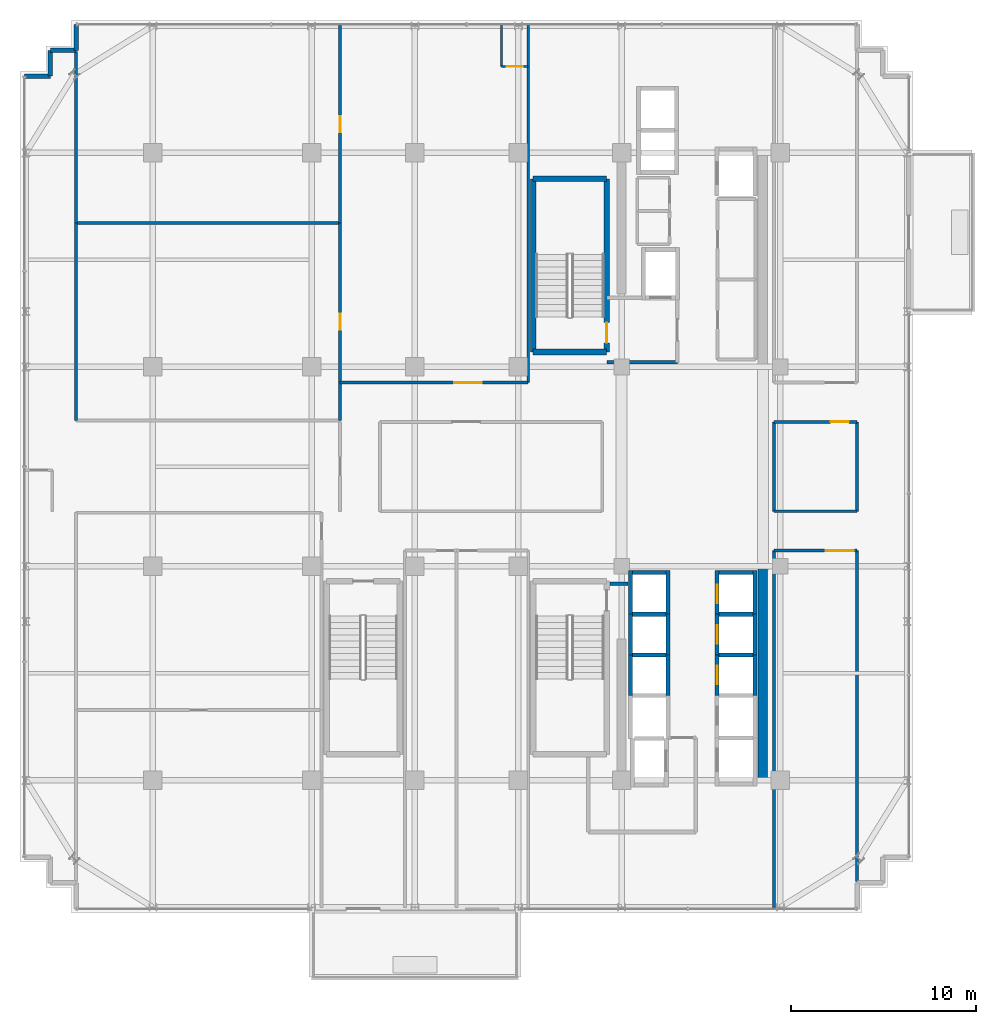
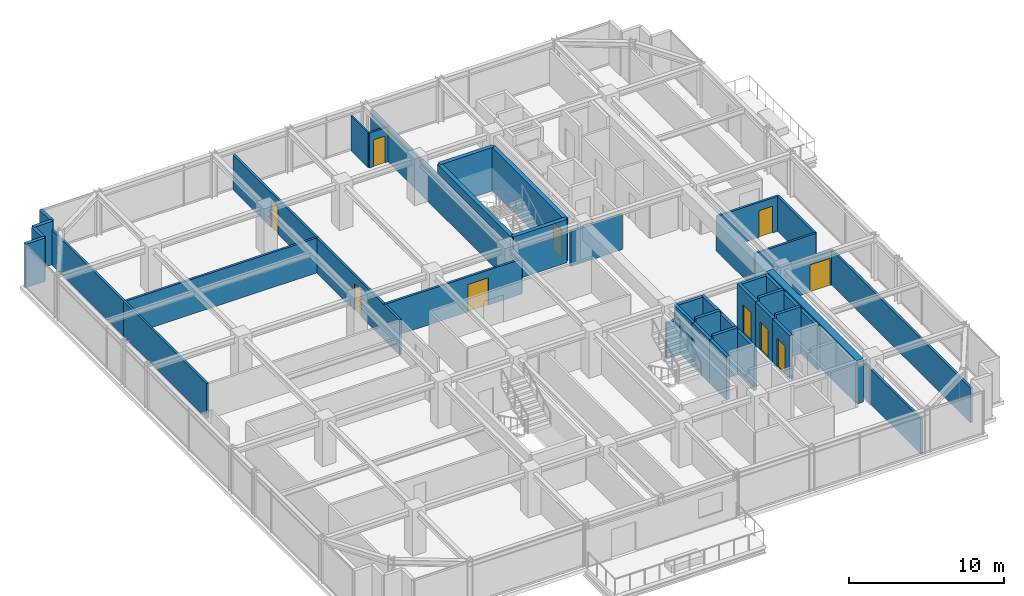
# One storey, part 31 of 36: 45 walls, 10 doors, 10 openings.
"""IFC4 building model written with IfcOpenShell, lengths in metres."""

import ifcopenshell
import ifcopenshell.guid

model = None  # the IFC model being written
_history = None  # IfcOwnerHistory: only IFC2X3 demands one
_inside = {}  # id of a spatial element -> (the spatial element, [elements in it])
_under = {}  # id of a project, library or spatial element -> (it, [spatial elements below it])
_declared = {}  # id of a project -> (the project, [libraries it declares])
_typed = {}  # id of a type object -> (the type object, [elements of that type])
_made_of = {}  # id of a material, layer set ... -> (it, [elements and type objects made of it])


def new_model(schema):
    """Start an empty IFC model of exactly this schema.

    Asked for "IFC4X3", IfcOpenShell would pick the latest addendum, in which some entities
    have other attributes; the version numbers below select the first issue.
    IFC2X3 requires an IfcOwnerHistory on every rooted entity: one is made here for all.
    """
    global model, _history
    if schema == "IFC4X3":
        model = ifcopenshell.file(schema_version=(4, 3, 0, 0))
    else:
        model = ifcopenshell.file(schema=schema)
    _inside.clear()
    _under.clear()
    _declared.clear()
    _typed.clear()
    _made_of.clear()
    _history = None
    if model.schema == "IFC2X3":
        org = make("IfcOrganization", Name="unknown")
        user = make(
            "IfcPersonAndOrganization",
            ThePerson=make("IfcPerson", FamilyName="unknown"),
            TheOrganization=org,
        )
        app = make(
            "IfcApplication",
            ApplicationDeveloper=org,
            Version="unknown",
            ApplicationFullName="unknown",
            ApplicationIdentifier="unknown",
        )
        _history = make(
            "IfcOwnerHistory",
            OwningUser=user,
            OwningApplication=app,
            ChangeAction="ADDED",
            CreationDate=0,
        )
    return model


def make(cls, **values):
    """One entity of the class cls with the attributes given. An attribute that is None is left unset."""
    return model.create_entity(
        cls, **{name: value for name, value in values.items() if value is not None}
    )


def rooted(cls, **values):
    """An entity with a GlobalId (a new one), such as an element, a storey or a relation."""
    return make(cls, GlobalId=ifcopenshell.guid.new(), OwnerHistory=_history, **values)


def si_unit(unit_type, name, prefix=None):
    """IfcSIUnit, for example si_unit("LENGTHUNIT", "METRE", prefix="MILLI")."""
    return make("IfcSIUnit", UnitType=unit_type, Prefix=prefix, Name=name)


def assignment(units):
    """IfcUnitAssignment: the units of a project."""
    return None if units is None else make("IfcUnitAssignment", Units=units)


def point(xyz):
    """IfcCartesianPoint."""
    return None if xyz is None else make("IfcCartesianPoint", Coordinates=xyz)


def direction(xyz):
    """IfcDirection."""
    return None if xyz is None else make("IfcDirection", DirectionRatios=xyz)


def frame(location, z_axis=None, x_axis=None):
    """IfcAxis2Placement3D, a coordinate frame: its origin and axes. An axis left out is left unset."""
    return make(
        "IfcAxis2Placement3D",
        Location=point(location),
        Axis=direction(z_axis),
        RefDirection=direction(x_axis),
    )


def frame_2d(location, x_axis=None):
    """IfcAxis2Placement2D, a coordinate frame in the plane: its origin and x axis."""
    return make(
        "IfcAxis2Placement2D", Location=point(location), RefDirection=direction(x_axis)
    )


def origin():
    """The frame at (0, 0, 0) with its axes left unset."""
    return frame((0.0, 0.0, 0.0))


def place(relative_to, where):
    """IfcLocalPlacement: puts the frame where relative to a parent placement (None: the world)."""
    return make(
        "IfcLocalPlacement", PlacementRelTo=relative_to, RelativePlacement=where
    )


def context(
    kind, dimensions, precision=None, world=None, true_north=None, identifier=None
):
    """IfcGeometricRepresentationContext, for example the 3D "Model" context."""
    return make(
        "IfcGeometricRepresentationContext",
        ContextIdentifier=identifier,
        ContextType=kind,
        CoordinateSpaceDimension=dimensions,
        Precision=precision,
        WorldCoordinateSystem=world,
        TrueNorth=true_north,
    )


def subcontext(parent, identifier, kind, view, scale=None):
    """IfcGeometricRepresentationSubContext, for example "Body" below "Model"."""
    return make(
        "IfcGeometricRepresentationSubContext",
        ContextIdentifier=identifier,
        ContextType=kind,
        ParentContext=parent,
        TargetScale=scale,
        TargetView=view,
    )


def project(units=None, contexts=None):
    """IfcProject with its units and contexts."""
    return rooted(
        "IfcProject",
        Name="project",
        RepresentationContexts=contexts,
        UnitsInContext=assignment(units),
    )


def spatial(cls, under=None, at=None, **own):
    """A site, building, storey or space (cls), placed at a placement, below another one or the project."""
    s = rooted(cls, ObjectPlacement=at, **own)
    if under is not None:
        _under.setdefault(under.id(), (under, []))[1].append(s)
    return s


def profile(cls, at=None, kind="AREA", **sizes):
    """A parametric profile (cls). Its sizes go by their IFC names, for example OverallWidth=200.0."""
    return make(cls, ProfileType=kind, Position=at, **sizes)


def rectangle(**sizes):
    """IfcRectangleProfileDef."""
    return profile("IfcRectangleProfileDef", **sizes)


def extrude(swept, where, along, depth):
    """IfcExtrudedAreaSolid: the profile swept, set in the frame where, extruded along a direction by depth."""
    return make(
        "IfcExtrudedAreaSolid",
        SweptArea=swept,
        Position=where,
        ExtrudedDirection=direction(along),
        Depth=depth,
    )


def shape(context_of_items, identifier, shape_type, items):
    """IfcShapeRepresentation: the items that make up one representation, for example the "Body"."""
    return make(
        "IfcShapeRepresentation",
        ContextOfItems=context_of_items,
        RepresentationIdentifier=identifier,
        RepresentationType=shape_type,
        Items=items,
    )


def source(mapping_origin, context_of_items, identifier, shape_type, items):
    """IfcRepresentationMap: a shape defined once, which mapped items show again and again."""
    return make(
        "IfcRepresentationMap",
        MappingOrigin=mapping_origin,
        MappedRepresentation=shape(context_of_items, identifier, shape_type, items),
    )


def transform(
    local_origin,
    x_axis=None,
    y_axis=None,
    z_axis=None,
    scale=None,
    scale2=None,
    scale3=None,
    uniform=True,
):
    """IfcCartesianTransformationOperator3D, or its non-uniform kind. x_axis, y_axis, z_axis: its Axis1, 2, 3."""
    if uniform:
        return make(
            "IfcCartesianTransformationOperator3D",
            Axis1=direction(x_axis),
            Axis2=direction(y_axis),
            LocalOrigin=point(local_origin),
            Scale=scale,
            Axis3=direction(z_axis),
        )
    return make(
        "IfcCartesianTransformationOperator3DnonUniform",
        Axis1=direction(x_axis),
        Axis2=direction(y_axis),
        LocalOrigin=point(local_origin),
        Scale=scale,
        Axis3=direction(z_axis),
        Scale2=scale2,
        Scale3=scale3,
    )


def mapped(mapping_source, mapping_target):
    """IfcMappedItem: shows the shape of a source again, moved by a transform."""
    return make(
        "IfcMappedItem", MappingSource=mapping_source, MappingTarget=mapping_target
    )


def material(Name=None, Category=None):
    """IfcMaterial."""
    return make("IfcMaterial", Name=Name, Category=Category)


def layer(
    of_material, thickness, ventilated=None, Name=None, Category=None, Priority=None
):
    """IfcMaterialLayer: one layer of a wall or slab, of a material (None: an air gap)."""
    return make(
        "IfcMaterialLayer",
        Material=of_material,
        LayerThickness=thickness,
        IsVentilated=ventilated,
        Name=Name,
        Category=Category,
        Priority=Priority,
    )


def layer_set(layers, Name=None):
    """IfcMaterialLayerSet."""
    return make("IfcMaterialLayerSet", MaterialLayers=layers, LayerSetName=Name)


def made_of(thing, what):
    """Note that an element or type object is made of a material, layer set ...; save() writes the relation."""
    if what is not None:
        _made_of.setdefault(what.id(), (what, []))[1].append(thing)
    return thing


def type_object(cls, material=None, **own):
    """A type object (cls), such as IfcWallType, which elements share."""
    return made_of(rooted(cls, **own), material)


def element(
    cls,
    number,
    at=None,
    inside=None,
    cuts=None,
    type_object=None,
    material=None,
    context=None,
    identifier="Body",
    shape_type=None,
    held_by="IfcProductDefinitionShape",
    body=None,
    shapes=None,
    **own,
):
    """One element of the class cls, such as IfcWall. Its Tag is "e" and its number.

    at: its placement. inside: the storey or other place that contains it. cuts: it is an
    opening in that element (IfcRelVoidsElement). A single representation is given by context,
    identifier, shape_type and body (its items); several are given by shapes. held_by: the class
    of the entity that holds the representations. save() writes the other relations.
    """
    e = rooted(cls, Tag="e%d" % number, ObjectPlacement=at, **own)
    if body is not None:
        shapes = [shape(context, identifier, shape_type, body)]
    if shapes is not None:
        e.Representation = make(held_by, Representations=shapes)
    if inside is not None:
        _inside.setdefault(inside.id(), (inside, []))[1].append(e)
    if cuts is not None:
        rooted(
            "IfcRelVoidsElement", RelatingBuildingElement=cuts, RelatedOpeningElement=e
        )
    if type_object is not None:
        _typed.setdefault(type_object.id(), (type_object, []))[1].append(e)
    return made_of(e, material)


def fill(opening, filler):
    """IfcRelFillsElement: the door or window that sits in an opening."""
    return rooted(
        "IfcRelFillsElement",
        RelatingOpeningElement=opening,
        RelatedBuildingElement=filler,
    )


def aggregate(whole, parts):
    """IfcRelAggregates: a whole, such as a stair, and the parts it consists of."""
    return rooted("IfcRelAggregates", RelatingObject=whole, RelatedObjects=parts)


def save(model, path):
    """Write the relations noted so far, then the file.

    IfcRelAggregates (storeys below a building ...), IfcRelContainedInSpatialStructure (elements
    in a storey), IfcRelDefinesByType, IfcRelAssociatesMaterial and IfcRelDeclares: one each for
    every whole, place, type object, material and project.
    """
    for whole, parts in _under.values():
        aggregate(whole, parts)
    for where, things in _inside.values():
        rooted(
            "IfcRelContainedInSpatialStructure",
            RelatedElements=things,
            RelatingStructure=where,
        )
    for kind, things in _typed.values():
        rooted("IfcRelDefinesByType", RelatedObjects=things, RelatingType=kind)
    for what, things in _made_of.values():
        rooted("IfcRelAssociatesMaterial", RelatedObjects=things, RelatingMaterial=what)
    for by, libraries in _declared.values():
        rooted("IfcRelDeclares", RelatingContext=by, RelatedDefinitions=libraries)
    model.write(path)


model = new_model("IFC4")

# Units and contexts
model_context = context("Model", 3, precision=1e-05, world=origin(), true_north=direction((0.0, 1.0)))
body_context = subcontext(model_context, "Body", "Model", "MODEL_VIEW")
ifc_project = project(units=[si_unit("LENGTHUNIT", "METRE"), si_unit("AREAUNIT", "SQUARE_METRE"), si_unit("VOLUMEUNIT", "CUBIC_METRE"), si_unit("PLANEANGLEUNIT", "RADIAN"), si_unit("MASSUNIT", "GRAM", prefix="KILO")], contexts=[model_context])

# Site, building, storey
site_placement = place(None, origin())
site = spatial("IfcSite", under=ifc_project, at=site_placement, CompositionType="ELEMENT")
building_placement = place(site_placement, origin())
building = spatial("IfcBuilding", under=site, at=building_placement, Name="Nahalor Promenade Grand Hotel", CompositionType="ELEMENT")
storey_placement = place(building_placement, frame((0.0, 0.0, 253.0)))
storey = spatial("IfcBuildingStorey", under=building, at=storey_placement, Name="L65", CompositionType="ELEMENT", Elevation=253.0)

# Walls
ifc_material_1 = material(Name="Concrete B-60 (C50/60)", Category="concrete")
ifc_layer_1 = layer(ifc_material_1, 0.5)
ifc_layer_set_1 = layer_set([ifc_layer_1], Name="Concrete B-60 (C50/60)")
wall_type_1 = type_object("IfcWallType", Name="Wall-CoreShear-500", PredefinedType="SHEAR", material=ifc_layer_set_1)
shared_shape_1 = source(origin(), body_context, "Body", "SweptSolid", [
    extrude(rectangle(XDim=11.60009765625, YDim=0.5, at=frame_2d((5.800048828125, 0.0))), origin(), (0.0, 0.0, 1.0), 3.409912109375),
])
wall_1_placement = place(storey_placement, frame((16.050048828125, -17.0, 0.0), z_axis=(0.0, 0.0, 1.0), x_axis=(0.0, 1.0, 0.0)))
element("IfcWall", 1, at=wall_1_placement, inside=storey, type_object=wall_type_1, Name="CWALL-L65-SE", PredefinedType="SHEAR", context=body_context, shape_type="MappedRepresentation", body=[
    mapped(shared_shape_1, transform((0.0, 0.0, 0.0), scale=1.0)),
])
ifc_material_2 = material(Name="Concrete B-50 (C40/50)", Category="concrete")
ifc_layer_2 = layer(ifc_material_2, 0.300048828125)
ifc_layer_set_2 = layer_set([ifc_layer_2], Name="Concrete B-50 (C40/50)")
wall_type_2 = type_object("IfcWallType", Name="Wall-ShaftShear-300", PredefinedType="SHEAR", material=ifc_layer_set_2)
shared_shape_2 = source(origin(), body_context, "Body", "SweptSolid", [
    extrude(rectangle(XDim=3.97998046875, YDim=0.300048828125, at=frame_2d((1.989990234375, 0.0))), origin(), (0.0, 0.0, 1.0), 3.409912109375),
])
for number, where, z_axis, x_axis, name in (
    (2, (3.610107421875, 6.2099609375, 0.0), (0.0, 0.0, 1.0), (1.0, 0.0, 0.0), "L65 Exit Stair ST1 Shaft Wall S"),
    (3, (3.610107421875, 15.590087890625, 0.0), (0.0, 0.0, 1.0), (1.0, 0.0, 0.0), "L65 Exit Stair ST1 Shaft Wall N"),
):
    element("IfcWall", number, at=place(storey_placement, frame(where, z_axis=z_axis, x_axis=x_axis)), inside=storey, type_object=wall_type_2, Name=name, PredefinedType="SHEAR", context=body_context, shape_type="MappedRepresentation", body=[
        mapped(shared_shape_2, transform((0.0, 0.0, 0.0), scale=1.0)),
    ])
shared_shape_3 = source(origin(), body_context, "Body", "SweptSolid", [
    extrude(rectangle(XDim=9.380126953125, YDim=0.300048828125, at=frame_2d((4.68994140625, 0.0))), origin(), (0.0, 0.0, 1.0), 3.409912109375),
])
wall_2_placement = place(storey_placement, frame((3.610107421875, 6.2099609375, 0.0), z_axis=(0.0, 0.0, 1.0), x_axis=(0.0, 1.0, 0.0)))
element("IfcWall", 4, at=wall_2_placement, inside=storey, type_object=wall_type_2, Name="L65 Exit Stair ST1 Shaft Wall W", PredefinedType="SHEAR", context=body_context, shape_type="MappedRepresentation", body=[
    mapped(shared_shape_3, transform((0.0, 0.0, 0.0), scale=1.0)),
])

# Wall, opening, door
wall_3_placement = place(storey_placement, frame((7.590087890625, 6.2099609375, 0.0), z_axis=(0.0, 0.0, 1.0), x_axis=(0.0, 1.0, 0.0)))
wall_3 = element("IfcWall", 5, at=wall_3_placement, inside=storey, type_object=wall_type_2, Name="L65 Exit Stair ST1 Shaft Wall E", PredefinedType="SHEAR", context=body_context, shape_type="MappedRepresentation", body=[
    mapped(shared_shape_3, transform((0.0, 0.0, 0.0), scale=1.0)),
])
opening_1_placement = place(wall_3_placement, frame((0.489990234375, 0.0, 0.0)))
opening_1 = element("IfcOpeningElement", 6, at=opening_1_placement, cuts=wall_3, Name="Opening D-ST1", PredefinedType="OPENING", context=body_context, shape_type="SweptSolid", body=[
    extrude(rectangle(XDim=1.10009765625, YDim=2.14990234375, at=frame_2d((0.550048828125, 1.074951171875))), frame((0.0, 0.159912109375, 0.0), z_axis=(0.0, -1.0, 0.0), x_axis=(1.0, 0.0, 0.0)), (0.0, 0.0, 1.0), 0.320068359375),
])
ifc_material_3 = material(Name="Steel S355JR", Category="steel")
door_type_1 = type_object("IfcDoorType", Name="Door-StairFire-1100", OperationType="NOTDEFINED", PredefinedType="DOOR", material=ifc_material_3)
shared_shape_4 = source(origin(), body_context, "Body", "SweptSolid", [
    extrude(rectangle(XDim=1.10009765625, YDim=2.14990234375, at=frame_2d((0.550048828125, 1.074951171875))), frame((0.0, 0.02490234375, 0.0), z_axis=(0.0, -1.0, 0.0), x_axis=(1.0, 0.0, 0.0)), (0.0, 0.0, 1.0), 0.050048828125),
])
door_1_placement = place(opening_1_placement, origin())
door_1 = element("IfcDoor", 7, at=door_1_placement, inside=storey, type_object=door_type_1, Name="DR-STAIR-ST1-L65", OperationType="SINGLE_SWING_RIGHT", OverallHeight=2.14990234375, OverallWidth=1.10009765625, PredefinedType="DOOR", context=body_context, shape_type="MappedRepresentation", body=[
    mapped(shared_shape_4, transform((0.0, 0.0, 0.0), scale=1.0)),
])
fill(opening_1, door_1)

ifc_layer_3 = layer(ifc_material_2, 0.219970703125)
ifc_layer_set_3 = layer_set([ifc_layer_3], Name="Concrete B-50 (C40/50)")
wall_type_3 = type_object("IfcWallType", Name="Wall-LiftShaft-220", PredefinedType="SHEAR", material=ifc_layer_set_3)
shared_shape_5 = source(origin(), body_context, "Body", "SweptSolid", [
    extrude(rectangle(XDim=2.360107421875, YDim=0.219970703125, at=frame_2d((1.18017578125, 0.0))), origin(), (0.0, 0.0, 1.0), 3.409912109375),
])
wall_4_placement = place(storey_placement, frame((13.580078125, -8.0, 0.0), z_axis=(0.0, 0.0, 1.0), x_axis=(0.0, 1.0, 0.0)))
wall_4 = element("IfcWall", 8, at=wall_4_placement, inside=storey, type_object=wall_type_3, Name="L65 Lift PL5 Hoistway Wall W", PredefinedType="SHEAR", context=body_context, shape_type="MappedRepresentation", body=[
    mapped(shared_shape_5, transform((0.0, 0.0, 0.0), scale=1.0)),
])
opening_2_placement = place(wall_4_placement, frame((0.60009765625, 0.0, 0.0)))
opening_2 = element("IfcOpeningElement", 9, at=opening_2_placement, cuts=wall_4, Name="Opening LD-01", PredefinedType="OPENING", context=body_context, shape_type="SweptSolid", body=[
    extrude(rectangle(XDim=1.0, YDim=2.199951171875, at=frame_2d((0.5, 1.10009765625))), frame((0.0, 0.119873046875, 0.0), z_axis=(0.0, -1.0, 0.0), x_axis=(1.0, 0.0, 0.0)), (0.0, 0.0, 1.0), 0.239990234375),
])
door_type_2 = type_object("IfcDoorType", Name="Door-LiftLanding-1000", OperationType="DOUBLE_DOOR_SLIDING", PredefinedType="DOOR", material=ifc_material_3)
shared_shape_6 = source(origin(), body_context, "Body", "SweptSolid", [
    extrude(rectangle(XDim=1.0, YDim=2.199951171875, at=frame_2d((0.5, 1.10009765625))), frame((0.0, 0.02490234375, 0.0), z_axis=(0.0, -1.0, 0.0), x_axis=(1.0, 0.0, 0.0)), (0.0, 0.0, 1.0), 0.050048828125),
])
door_2_placement = place(opening_2_placement, origin())
door_2 = element("IfcDoor", 10, at=door_2_placement, inside=storey, type_object=door_type_2, Name="DR-LIFT-PL5-L65", OperationType="DOUBLE_DOOR_SLIDING", OverallHeight=2.199951171875, OverallWidth=1.0, PredefinedType="DOOR", context=body_context, shape_type="MappedRepresentation", body=[
    mapped(shared_shape_6, transform((0.0, 0.0, 0.0), scale=1.0)),
])
fill(opening_2, door_2)

# Walls
for number, where, z_axis, x_axis, name in (
    (11, (15.6201171875, -8.0, 0.0), (0.0, 0.0, 1.0), (0.0, 1.0, 0.0), "L65 Lift PL5 Hoistway Wall E"),
    (12, (8.8798828125, -8.0, 0.0), (0.0, 0.0, 1.0), (0.0, 1.0, 0.0), "L65 Lift PL9 Hoistway Wall W"),
    (13, (10.919921875, -8.0, 0.0), (0.0, 0.0, 1.0), (0.0, 1.0, 0.0), "L65 Lift PL9 Hoistway Wall E"),
):
    element("IfcWall", number, at=place(storey_placement, frame(where, z_axis=z_axis, x_axis=x_axis)), inside=storey, type_object=wall_type_3, Name=name, PredefinedType="SHEAR", context=body_context, shape_type="MappedRepresentation", body=[
        mapped(shared_shape_5, transform((0.0, 0.0, 0.0), scale=1.0)),
    ])
shared_shape_7 = source(origin(), body_context, "Body", "SweptSolid", [
    extrude(rectangle(XDim=1.820068359375, YDim=0.219970703125, at=frame_2d((0.91015625, 0.0))), origin(), (0.0, 0.0, 1.0), 3.409912109375),
])
for number, where, z_axis, x_axis, name in (
    (14, (13.68994140625, -5.75, 0.0), (0.0, 0.0, 1.0), (1.0, 0.0, 0.0), "L65 Lift PL5 Hoistway Wall N"),
    (15, (8.989990234375, -5.75, 0.0), (0.0, 0.0, 1.0), (1.0, 0.0, 0.0), "L65 Lift PL9 Hoistway Wall N"),
):
    element("IfcWall", number, at=place(storey_placement, frame(where, z_axis=z_axis, x_axis=x_axis)), inside=storey, type_object=wall_type_3, Name=name, PredefinedType="SHEAR", context=body_context, shape_type="MappedRepresentation", body=[
        mapped(shared_shape_7, transform((0.0, 0.0, 0.0), scale=1.0)),
    ])

# Wall, opening, door
shared_shape_8 = source(origin(), body_context, "Body", "SweptSolid", [
    extrude(rectangle(XDim=2.199951171875, YDim=0.219970703125, at=frame_2d((1.10009765625, 0.0))), origin(), (0.0, 0.0, 1.0), 3.409912109375),
])
wall_5_placement = place(storey_placement, frame((13.580078125, -10.199951171875, 0.0), z_axis=(0.0, 0.0, 1.0), x_axis=(0.0, 1.0, 0.0)))
wall_5 = element("IfcWall", 16, at=wall_5_placement, inside=storey, type_object=wall_type_3, Name="L65 Lift PL6 Hoistway Wall W", PredefinedType="SHEAR", context=body_context, shape_type="MappedRepresentation", body=[
    mapped(shared_shape_8, transform((0.0, 0.0, 0.0), scale=1.0)),
])
opening_3_placement = place(wall_5_placement, frame((0.60009765625, 0.0, 0.0)))
opening_3 = element("IfcOpeningElement", 17, at=opening_3_placement, cuts=wall_5, Name="Opening LD-01", PredefinedType="OPENING", context=body_context, shape_type="SweptSolid", body=[
    extrude(rectangle(XDim=1.0, YDim=2.199951171875, at=frame_2d((0.5, 1.10009765625))), frame((0.0, 0.119873046875, 0.0), z_axis=(0.0, -1.0, 0.0), x_axis=(1.0, 0.0, 0.0)), (0.0, 0.0, 1.0), 0.239990234375),
])
door_3_placement = place(opening_3_placement, origin())
door_3 = element("IfcDoor", 18, at=door_3_placement, inside=storey, type_object=door_type_2, Name="DR-LIFT-PL6-L65", OperationType="DOUBLE_DOOR_SLIDING", OverallHeight=2.199951171875, OverallWidth=1.0, PredefinedType="DOOR", context=body_context, shape_type="MappedRepresentation", body=[
    mapped(shared_shape_6, transform((0.0, 0.0, 0.0), scale=1.0)),
])
fill(opening_3, door_3)

# Wall
wall_6_placement = place(storey_placement, frame((15.6201171875, -10.199951171875, 0.0), z_axis=(0.0, 0.0, 1.0), x_axis=(0.0, 1.0, 0.0)))
element("IfcWall", 19, at=wall_6_placement, inside=storey, type_object=wall_type_3, Name="L65 Lift PL6 Hoistway Wall E", PredefinedType="SHEAR", context=body_context, shape_type="MappedRepresentation", body=[
    mapped(shared_shape_8, transform((0.0, 0.0, 0.0), scale=1.0)),
])

# Wall, opening, door
wall_7_placement = place(storey_placement, frame((13.580078125, -12.39990234375, 0.0), z_axis=(0.0, 0.0, 1.0), x_axis=(0.0, 1.0, 0.0)))
wall_7 = element("IfcWall", 20, at=wall_7_placement, inside=storey, type_object=wall_type_3, Name="L65 Lift PL7 Hoistway Wall W", PredefinedType="SHEAR", context=body_context, shape_type="MappedRepresentation", body=[
    mapped(shared_shape_8, transform((0.0, 0.0, 0.0), scale=1.0)),
])
opening_4_placement = place(wall_7_placement, frame((0.60009765625, 0.0, 0.0)))
opening_4 = element("IfcOpeningElement", 21, at=opening_4_placement, cuts=wall_7, Name="Opening LD-01", PredefinedType="OPENING", context=body_context, shape_type="SweptSolid", body=[
    extrude(rectangle(XDim=1.0, YDim=2.199951171875, at=frame_2d((0.5, 1.10009765625))), frame((0.0, 0.119873046875, 0.0), z_axis=(0.0, -1.0, 0.0), x_axis=(1.0, 0.0, 0.0)), (0.0, 0.0, 1.0), 0.239990234375),
])
door_4_placement = place(opening_4_placement, origin())
door_4 = element("IfcDoor", 22, at=door_4_placement, inside=storey, type_object=door_type_2, Name="DR-LIFT-PL7-L65", OperationType="DOUBLE_DOOR_SLIDING", OverallHeight=2.199951171875, OverallWidth=1.0, PredefinedType="DOOR", context=body_context, shape_type="MappedRepresentation", body=[
    mapped(shared_shape_6, transform((0.0, 0.0, 0.0), scale=1.0)),
])
fill(opening_4, door_4)

# Walls
for number, where, z_axis, x_axis, name in (
    (23, (15.6201171875, -12.39990234375, 0.0), (0.0, 0.0, 1.0), (0.0, 1.0, 0.0), "L65 Lift PL7 Hoistway Wall E"),
    (24, (8.8798828125, -10.199951171875, 0.0), (0.0, 0.0, 1.0), (0.0, 1.0, 0.0), "L65 Lift PL10 Hoistway Wall W"),
    (25, (10.919921875, -10.199951171875, 0.0), (0.0, 0.0, 1.0), (0.0, 1.0, 0.0), "L65 Lift PL10 Hoistway Wall E"),
    (26, (8.8798828125, -12.39990234375, 0.0), (0.0, 0.0, 1.0), (0.0, 1.0, 0.0), "L65 Lift PL11 Hoistway Wall W"),
    (27, (10.919921875, -12.39990234375, 0.0), (0.0, 0.0, 1.0), (0.0, 1.0, 0.0), "L65 Lift PL11 Hoistway Wall E"),
):
    element("IfcWall", number, at=place(storey_placement, frame(where, z_axis=z_axis, x_axis=x_axis)), inside=storey, type_object=wall_type_3, Name=name, PredefinedType="SHEAR", context=body_context, shape_type="MappedRepresentation", body=[
        mapped(shared_shape_8, transform((0.0, 0.0, 0.0), scale=1.0)),
    ])
shared_shape_9 = source(origin(), body_context, "Body", "SweptSolid", [
    extrude(rectangle(XDim=1.820068359375, YDim=0.219970703125, at=frame_2d((0.91015625, 0.0))), origin(), (0.0, 0.0, 1.0), 3.699951171875),
])
for number, where, z_axis, x_axis, name in (
    (28, (13.68994140625, -8.0, 0.0), (0.0, 0.0, 1.0), (1.0, 0.0, 0.0), "L65 Lift PL6 Hoistway Wall N"),
    (29, (13.68994140625, -10.199951171875, 0.0), (0.0, 0.0, 1.0), (1.0, 0.0, 0.0), "L65 Lift PL7 Hoistway Wall N"),
    (30, (8.989990234375, -8.0, 0.0), (0.0, 0.0, 1.0), (1.0, 0.0, 0.0), "L65 Lift PL10 Hoistway Wall N"),
    (31, (8.989990234375, -10.199951171875, 0.0), (0.0, 0.0, 1.0), (1.0, 0.0, 0.0), "L65 Lift PL11 Hoistway Wall N"),
):
    element("IfcWall", number, at=place(storey_placement, frame(where, z_axis=z_axis, x_axis=x_axis)), inside=storey, type_object=wall_type_3, Name=name, PredefinedType="SHEAR", context=body_context, shape_type="MappedRepresentation", body=[
        mapped(shared_shape_9, transform((0.0, 0.0, 0.0), scale=1.0)),
    ])
ifc_material_4 = material(Name="Concrete B-40 (C32/40)", Category="concrete")
ifc_layer_4 = layer(ifc_material_4, 0.25)
ifc_layer_set_4 = layer_set([ifc_layer_4], Name="Concrete B-40 (C32/40)")
wall_type_4 = type_object("IfcWallType", Name="Wall-BronzePier-250", PredefinedType="STANDARD", material=ifc_layer_set_4)
shared_shape_10 = source(origin(), body_context, "Body", "SweptSolid", [
    extrude(rectangle(XDim=1.39990234375, YDim=0.25, at=frame_2d((0.699951171875, 0.0))), origin(), (0.0, 0.0, 1.0), 3.409912109375),
])
for number, where, z_axis, x_axis, name in (
    (32, (-21.159912109375, 22.56005859375, 0.0), (0.0, 0.0, 1.0), (0.0, 1.0, 0.0), "W-L65-SR-09"),
    (33, (-23.9599609375, 21.159912109375, 0.0), (0.0, 0.0, 1.0), (1.0, 0.0, 0.0), "W-L65-SR-12"),
):
    element("IfcWall", number, at=place(storey_placement, frame(where, z_axis=z_axis, x_axis=x_axis)), inside=storey, type_object=wall_type_4, Name=name, PredefinedType="STANDARD", context=body_context, shape_type="MappedRepresentation", body=[
        mapped(shared_shape_10, transform((0.0, 0.0, 0.0), scale=1.0)),
    ])
shared_shape_11 = source(origin(), body_context, "Body", "SweptSolid", [
    extrude(rectangle(XDim=1.400146484375, YDim=0.25, at=frame_2d((0.7001953125, 0.0))), origin(), (0.0, 0.0, 1.0), 3.409912109375),
])
for number, where, z_axis, x_axis, name in (
    (34, (-22.56005859375, 22.56005859375, 0.0), (0.0, 0.0, 1.0), (1.0, 0.0, 0.0), "W-L65-SR-10"),
    (35, (-22.56005859375, 21.159912109375, 0.0), (0.0, 0.0, 1.0), (0.0, 1.0, 0.0), "W-L65-SR-11"),
):
    element("IfcWall", number, at=place(storey_placement, frame(where, z_axis=z_axis, x_axis=x_axis)), inside=storey, type_object=wall_type_4, Name=name, PredefinedType="STANDARD", context=body_context, shape_type="MappedRepresentation", body=[
        mapped(shared_shape_11, transform((0.0, 0.0, 0.0), scale=1.0)),
    ])
ifc_layer_5 = layer(ifc_material_4, 0.199951171875)
ifc_layer_set_5 = layer_set([ifc_layer_5], Name="Concrete B-40 (C32/40)")
wall_type_5 = type_object("IfcWallType", Name="Wall-PartFire-200", PredefinedType="PARTITIONING", material=ifc_layer_set_5)
shared_shape_12 = source(origin(), body_context, "Body", "SweptSolid", [
    extrude(rectangle(XDim=3.81982421875, YDim=0.199951171875, at=frame_2d((1.909912109375, 0.0))), origin(), (0.0, 0.0, 1.0), 2.75),
])
wall_8_placement = place(storey_placement, frame((7.60009765625, 5.64990234375, 0.0), z_axis=(0.0, 0.0, 1.0), x_axis=(1.0, 0.0, 0.0)))
element("IfcWall", 36, at=wall_8_placement, inside=storey, type_object=wall_type_5, Name="W-L65-FF1-S", PredefinedType="PARTITIONING", context=body_context, shape_type="MappedRepresentation", body=[
    mapped(shared_shape_12, transform((0.0, 0.0, 0.0), scale=1.0)),
])
shared_shape_13 = source(origin(), body_context, "Body", "SweptSolid", [
    extrude(rectangle(XDim=0.969970703125, YDim=0.199951171875, at=frame_2d((0.48486328125, 0.0))), origin(), (0.0, 0.0, 1.0), 2.75),
])
wall_9_placement = place(storey_placement, frame((7.77001953125, -6.35009765625, 0.0), z_axis=(0.0, 0.0, 1.0), x_axis=(1.0, 0.0, 0.0)))
element("IfcWall", 37, at=wall_9_placement, inside=storey, type_object=wall_type_5, Name="W-L65-FF2-N2", PredefinedType="PARTITIONING", context=body_context, shape_type="MappedRepresentation", body=[
    mapped(shared_shape_13, transform((0.0, 0.0, 0.0), scale=1.0)),
])
ifc_material_5 = material(Name="Acoustic Mineral Gypsum", Category="gypsum")
ifc_layer_6 = layer(ifc_material_5, 0.159912109375)
ifc_layer_set_6 = layer_set([ifc_layer_6], Name="Acoustic Mineral Gypsum")
wall_type_6 = type_object("IfcWallType", Name="Wall-PartCorridor-160", PredefinedType="PARTITIONING", material=ifc_layer_set_6)
shared_shape_14 = source(origin(), body_context, "Body", "SweptSolid", [
    extrude(rectangle(XDim=19.349853515625, YDim=0.159912109375, at=frame_2d((9.6748046875, 0.0))), origin(), (0.0, 0.0, 1.0), 2.75),
])
wall_10_placement = place(storey_placement, frame((16.64990234375, -23.89990234375, 0.0), z_axis=(0.0, 0.0, 1.0), x_axis=(0.0, 1.0, 0.0)))
element("IfcWall", 38, at=wall_10_placement, inside=storey, type_object=wall_type_6, Name="W-L65-ESE-W", PredefinedType="PARTITIONING", context=body_context, shape_type="MappedRepresentation", body=[
    mapped(shared_shape_14, transform((0.0, 0.0, 0.0), scale=1.0)),
])
shared_shape_15 = source(origin(), body_context, "Body", "SweptSolid", [
    extrude(rectangle(XDim=17.929931640625, YDim=0.159912109375, at=frame_2d((8.96484375, 0.0))), origin(), (0.0, 0.0, 1.0), 2.75),
])
wall_11_placement = place(storey_placement, frame((21.159912109375, -22.47998046875, 0.0), z_axis=(0.0, 0.0, 1.0), x_axis=(0.0, 1.0, 0.0)))
element("IfcWall", 39, at=wall_11_placement, inside=storey, type_object=wall_type_6, Name="W-L65-ESE-E", PredefinedType="PARTITIONING", context=body_context, shape_type="MappedRepresentation", body=[
    mapped(shared_shape_15, transform((0.0, 0.0, 0.0), scale=1.0)),
])
ifc_layer_7 = layer(ifc_material_5, 0.1201171875)
ifc_layer_set_7 = layer_set([ifc_layer_7], Name="Acoustic Mineral Gypsum")
wall_type_7 = type_object("IfcWallType", Name="Wall-PartBath-120", PredefinedType="PARTITIONING", material=ifc_layer_set_7)
shared_shape_16 = source(origin(), body_context, "Body", "SweptSolid", [
    extrude(rectangle(XDim=2.219970703125, YDim=0.1201171875, at=frame_2d((1.10986328125, 0.0))), origin(), (0.0, 0.0, 1.0), 2.75),
])
wall_12_placement = place(storey_placement, frame((1.889892578125, 21.679931640625, 0.0), z_axis=(0.0, 0.0, 1.0), x_axis=(0.0, 1.0, 0.0)))
element("IfcWall", 40, at=wall_12_placement, inside=storey, type_object=wall_type_7, Name="W-L65-N1-BV", PredefinedType="PARTITIONING", context=body_context, shape_type="MappedRepresentation", body=[
    mapped(shared_shape_16, transform((0.0, 0.0, 0.0), scale=1.0)),
])
ifc_layer_8 = layer(ifc_material_5, 0.139892578125)
ifc_layer_set_8 = layer_set([ifc_layer_8], Name="Acoustic Mineral Gypsum")
wall_type_8 = type_object("IfcWallType", Name="Wall-PartSuite-140", PredefinedType="PARTITIONING", material=ifc_layer_set_8)
shared_shape_17 = source(origin(), body_context, "Body", "SweptSolid", [
    extrude(rectangle(XDim=19.349853515625, YDim=0.139892578125, at=frame_2d((9.6748046875, 0.0))), origin(), (0.0, 0.0, 1.0), 2.75),
])
wall_13_placement = place(storey_placement, frame((3.340087890625, 4.550048828125, 0.0), z_axis=(0.0, 0.0, 1.0), x_axis=(0.0, 1.0, 0.0)))
element("IfcWall", 41, at=wall_13_placement, inside=storey, type_object=wall_type_8, Name="W-L65-NW-ENDE", PredefinedType="PARTITIONING", context=body_context, shape_type="MappedRepresentation", body=[
    mapped(shared_shape_17, transform((0.0, 0.0, 0.0), scale=1.0)),
])

# Wall, opening, door
shared_shape_18 = source(origin(), body_context, "Body", "SweptSolid", [
    extrude(rectangle(XDim=1.4501953125, YDim=0.1201171875, at=frame_2d((0.72509765625, 0.0))), origin(), (0.0, 0.0, 1.0), 2.75),
])
wall_14_placement = place(storey_placement, frame((1.889892578125, 21.679931640625, 0.0), z_axis=(0.0, 0.0, 1.0), x_axis=(1.0, 0.0, 0.0)))
wall_14 = element("IfcWall", 42, at=wall_14_placement, inside=storey, type_object=wall_type_7, Name="W-L65-N1-BH", PredefinedType="PARTITIONING", context=body_context, shape_type="MappedRepresentation", body=[
    mapped(shared_shape_18, transform((0.0, 0.0, 0.0), scale=1.0)),
])
opening_5_placement = place(wall_14_placement, frame((0.284912109375, 0.0, 0.0)))
opening_5 = element("IfcOpeningElement", 43, at=opening_5_placement, cuts=wall_14, Name="Opening D-03", PredefinedType="OPENING", context=body_context, shape_type="SweptSolid", body=[
    extrude(rectangle(XDim=0.8798828125, YDim=2.10009765625, at=frame_2d((0.43994140625, 1.050048828125))), frame((0.0, 0.070068359375, 0.0), z_axis=(0.0, -1.0, 0.0), x_axis=(1.0, 0.0, 0.0)), (0.0, 0.0, 1.0), 0.14013671875),
])
ifc_material_6 = material(Name="Fire-Rated Timber Composite", Category="wood")
door_type_3 = type_object("IfcDoorType", Name="Door-BathSwing-880", OperationType="NOTDEFINED", PredefinedType="DOOR", material=ifc_material_6)
shared_shape_19 = source(origin(), body_context, "Body", "SweptSolid", [
    extrude(rectangle(XDim=0.8798828125, YDim=2.10009765625, at=frame_2d((0.43994140625, 1.050048828125))), frame((0.0, 0.02490234375, 0.0), z_axis=(0.0, -1.0, 0.0), x_axis=(1.0, 0.0, 0.0)), (0.0, 0.0, 1.0), 0.050048828125),
])
door_5_placement = place(opening_5_placement, origin())
door_5 = element("IfcDoor", 44, at=door_5_placement, inside=storey, type_object=door_type_3, Name="DR-L65-N1-BATH", OperationType="SINGLE_SWING_LEFT", OverallHeight=2.10009765625, OverallWidth=0.8798828125, PredefinedType="DOOR", context=body_context, shape_type="MappedRepresentation", body=[
    mapped(shared_shape_19, transform((0.0, 0.0, 0.0), scale=1.0)),
])
fill(opening_5, door_5)

# Walls
shared_shape_20 = source(origin(), body_context, "Body", "SweptSolid", [
    extrude(rectangle(XDim=4.83984375, YDim=0.159912109375, at=frame_2d((2.419921875, 0.0))), origin(), (0.0, 0.0, 1.0), 2.75),
])
for number, where, z_axis, x_axis, name in (
    (45, (16.64990234375, -2.419921875, 0.0), (0.0, 0.0, 1.0), (0.0, 1.0, 0.0), "W-L65-ECW-W"),
    (46, (21.159912109375, -2.419921875, 0.0), (0.0, 0.0, 1.0), (0.0, 1.0, 0.0), "W-L65-ECW-E"),
):
    element("IfcWall", number, at=place(storey_placement, frame(where, z_axis=z_axis, x_axis=x_axis)), inside=storey, type_object=wall_type_6, Name=name, PredefinedType="PARTITIONING", context=body_context, shape_type="MappedRepresentation", body=[
        mapped(shared_shape_20, transform((0.0, 0.0, 0.0), scale=1.0)),
    ])

# Wall, opening, door
shared_shape_21 = source(origin(), body_context, "Body", "SweptSolid", [
    extrude(rectangle(XDim=4.510009765625, YDim=0.159912109375, at=frame_2d((2.2548828125, 0.0))), origin(), (0.0, 0.0, 1.0), 2.75),
])
wall_15_placement = place(storey_placement, frame((16.64990234375, -4.550048828125, 0.0), z_axis=(0.0, 0.0, 1.0), x_axis=(1.0, 0.0, 0.0)))
wall_15 = element("IfcWall", 47, at=wall_15_placement, inside=storey, type_object=wall_type_6, Name="W-L65-ESE-N", PredefinedType="PARTITIONING", context=body_context, shape_type="MappedRepresentation", body=[
    mapped(shared_shape_21, transform((0.0, 0.0, 0.0), scale=1.0)),
])
opening_6_placement = place(wall_15_placement, frame((2.820068359375, 0.0, 0.0)))
opening_6 = element("IfcOpeningElement", 48, at=opening_6_placement, cuts=wall_15, Name="Opening D-02", PredefinedType="OPENING", context=body_context, shape_type="SweptSolid", body=[
    extrude(rectangle(XDim=1.5, YDim=2.14990234375, at=frame_2d((0.75, 1.074951171875))), frame((0.0, 0.08984375, 0.0), z_axis=(0.0, -1.0, 0.0), x_axis=(1.0, 0.0, 0.0)), (0.0, 0.0, 1.0), 0.179931640625),
])
door_type_4 = type_object("IfcDoorType", Name="Door-SuiteDouble-1500", OperationType="DOUBLE_DOOR_SINGLE_SWING", PredefinedType="DOOR", material=ifc_material_6)
shared_shape_22 = source(origin(), body_context, "Body", "SweptSolid", [
    extrude(rectangle(XDim=1.5, YDim=2.14990234375, at=frame_2d((0.75, 1.074951171875))), frame((0.0, 0.02490234375, 0.0), z_axis=(0.0, -1.0, 0.0), x_axis=(1.0, 0.0, 0.0)), (0.0, 0.0, 1.0), 0.050048828125),
])
door_6_placement = place(opening_6_placement, frame((1.5, 0.0, 0.0), z_axis=(0.0, 0.0, 1.0), x_axis=(-1.0, 0.0, 0.0)))
door_6 = element("IfcDoor", 49, at=door_6_placement, inside=storey, type_object=door_type_4, Name="DR-L65-ESE", OperationType="DOUBLE_DOOR_SINGLE_SWING", OverallHeight=2.14990234375, OverallWidth=1.5, PredefinedType="DOOR", context=body_context, shape_type="MappedRepresentation", body=[
    mapped(shared_shape_22, transform((0.0, 0.0, 0.0), scale=1.0)),
])
fill(opening_6, door_6)

# Wall
wall_16_placement = place(storey_placement, frame((16.64990234375, -2.419921875, 0.0), z_axis=(0.0, 0.0, 1.0), x_axis=(1.0, 0.0, 0.0)))
element("IfcWall", 50, at=wall_16_placement, inside=storey, type_object=wall_type_6, Name="W-L65-ECW-S", PredefinedType="PARTITIONING", context=body_context, shape_type="MappedRepresentation", body=[
    mapped(shared_shape_21, transform((0.0, 0.0, 0.0), scale=1.0)),
])

# Wall, opening, door
wall_17_placement = place(storey_placement, frame((16.64990234375, 2.419921875, 0.0), z_axis=(0.0, 0.0, 1.0), x_axis=(1.0, 0.0, 0.0)))
wall_17 = element("IfcWall", 51, at=wall_17_placement, inside=storey, type_object=wall_type_6, Name="W-L65-ECW-N", PredefinedType="PARTITIONING", context=body_context, shape_type="MappedRepresentation", body=[
    mapped(shared_shape_21, transform((0.0, 0.0, 0.0), scale=1.0)),
])
opening_7_placement = place(wall_17_placement, frame((3.070068359375, 0.0, 0.0)))
opening_7 = element("IfcOpeningElement", 52, at=opening_7_placement, cuts=wall_17, Name="Opening D-04", PredefinedType="OPENING", context=body_context, shape_type="SweptSolid", body=[
    extrude(rectangle(XDim=1.0, YDim=2.10009765625, at=frame_2d((0.5, 1.050048828125))), frame((0.0, 0.08984375, 0.0), z_axis=(0.0, -1.0, 0.0), x_axis=(1.0, 0.0, 0.0)), (0.0, 0.0, 1.0), 0.179931640625),
])
door_type_5 = type_object("IfcDoorType", Name="Door-ServiceFire-1000", OperationType="NOTDEFINED", PredefinedType="DOOR", material=ifc_material_3)
shared_shape_23 = source(origin(), body_context, "Body", "SweptSolid", [
    extrude(rectangle(XDim=1.0, YDim=2.10009765625, at=frame_2d((0.5, 1.050048828125))), frame((0.0, 0.02490234375, 0.0), z_axis=(0.0, -1.0, 0.0), x_axis=(1.0, 0.0, 0.0)), (0.0, 0.0, 1.0), 0.050048828125),
])
door_7_placement = place(opening_7_placement, frame((1.0, 0.0, 0.0), z_axis=(0.0, 0.0, 1.0), x_axis=(-1.0, 0.0, 0.0)))
door_7 = element("IfcDoor", 53, at=door_7_placement, inside=storey, type_object=door_type_5, Name="DR-L65-ECW", OperationType="SINGLE_SWING_RIGHT", OverallHeight=2.10009765625, OverallWidth=1.0, PredefinedType="DOOR", context=body_context, shape_type="MappedRepresentation", body=[
    mapped(shared_shape_23, transform((0.0, 0.0, 0.0), scale=1.0)),
])
fill(opening_7, door_7)

# Walls
shared_shape_24 = source(origin(), body_context, "Body", "SweptSolid", [
    extrude(rectangle(XDim=14.309814453125, YDim=0.159912109375, at=frame_2d((7.15478515625, 0.0))), origin(), (0.0, 0.0, 1.0), 2.75),
])
wall_18_placement = place(storey_placement, frame((-21.159912109375, 13.199951171875, 0.0), z_axis=(0.0, 0.0, 1.0), x_axis=(1.0, 0.0, 0.0)))
element("IfcWall", 54, at=wall_18_placement, inside=storey, type_object=wall_type_6, Name="W-L65-NW0A-N", PredefinedType="PARTITIONING", context=body_context, shape_type="MappedRepresentation", body=[
    mapped(shared_shape_24, transform((0.0, 0.0, 0.0), scale=1.0)),
])
shared_shape_25 = source(origin(), body_context, "Body", "SweptSolid", [
    extrude(rectangle(XDim=10.699951171875, YDim=0.159912109375, at=frame_2d((5.35009765625, 0.0))), origin(), (0.0, 0.0, 1.0), 2.75),
])
wall_19_placement = place(storey_placement, frame((-21.159912109375, 2.5, 0.0), z_axis=(0.0, 0.0, 1.0), x_axis=(0.0, 1.0, 0.0)))
element("IfcWall", 55, at=wall_19_placement, inside=storey, type_object=wall_type_6, Name="W-L65-NW0A-W", PredefinedType="PARTITIONING", context=body_context, shape_type="MappedRepresentation", body=[
    mapped(shared_shape_25, transform((0.0, 0.0, 0.0), scale=1.0)),
])

# Wall, opening, door
wall_20_placement = place(storey_placement, frame((-6.85009765625, 2.5, 0.0), z_axis=(0.0, 0.0, 1.0), x_axis=(0.0, 1.0, 0.0)))
wall_20 = element("IfcWall", 56, at=wall_20_placement, inside=storey, type_object=wall_type_6, Name="W-L65-NW0A-E", PredefinedType="PARTITIONING", context=body_context, shape_type="MappedRepresentation", body=[
    mapped(shared_shape_25, transform((0.0, 0.0, 0.0), scale=1.0)),
])
opening_8_placement = place(wall_20_placement, frame((4.909912109375, 0.0, 0.0)))
opening_8 = element("IfcOpeningElement", 57, at=opening_8_placement, cuts=wall_20, Name="Opening D-03", PredefinedType="OPENING", context=body_context, shape_type="SweptSolid", body=[
    extrude(rectangle(XDim=0.8798828125, YDim=2.10009765625, at=frame_2d((0.43994140625, 1.050048828125))), frame((0.0, 0.08984375, 0.0), z_axis=(0.0, -1.0, 0.0), x_axis=(1.0, 0.0, 0.0)), (0.0, 0.0, 1.0), 0.179931640625),
])
door_8_placement = place(opening_8_placement, origin())
door_8 = element("IfcDoor", 58, at=door_8_placement, inside=storey, type_object=door_type_3, Name="DR-L65-NW0A", OperationType="SINGLE_SWING_LEFT", OverallHeight=2.10009765625, OverallWidth=0.8798828125, PredefinedType="DOOR", context=body_context, shape_type="MappedRepresentation", body=[
    mapped(shared_shape_19, transform((0.0, 0.0, 0.0), scale=1.0)),
])
fill(opening_8, door_8)

wall_21_placement = place(storey_placement, frame((-6.85009765625, 13.199951171875, 0.0), z_axis=(0.0, 0.0, 1.0), x_axis=(0.0, 1.0, 0.0)))
wall_21 = element("IfcWall", 59, at=wall_21_placement, inside=storey, type_object=wall_type_6, Name="W-L65-NW0B-E", PredefinedType="PARTITIONING", context=body_context, shape_type="MappedRepresentation", body=[
    mapped(shared_shape_25, transform((0.0, 0.0, 0.0), scale=1.0)),
])
opening_9_placement = place(wall_21_placement, frame((4.909912109375, 0.0, 0.0)))
opening_9 = element("IfcOpeningElement", 60, at=opening_9_placement, cuts=wall_21, Name="Opening D-03", PredefinedType="OPENING", context=body_context, shape_type="SweptSolid", body=[
    extrude(rectangle(XDim=0.8798828125, YDim=2.10009765625, at=frame_2d((0.43994140625, 1.050048828125))), frame((0.0, 0.08984375, 0.0), z_axis=(0.0, -1.0, 0.0), x_axis=(1.0, 0.0, 0.0)), (0.0, 0.0, 1.0), 0.179931640625),
])
door_9_placement = place(opening_9_placement, origin())
door_9 = element("IfcDoor", 61, at=door_9_placement, inside=storey, type_object=door_type_3, Name="DR-L65-NW0B", OperationType="SINGLE_SWING_RIGHT", OverallHeight=2.10009765625, OverallWidth=0.8798828125, PredefinedType="DOOR", context=body_context, shape_type="MappedRepresentation", body=[
    mapped(shared_shape_19, transform((0.0, 0.0, 0.0), scale=1.0)),
])
fill(opening_9, door_9)

# Wall
shared_shape_26 = source(origin(), body_context, "Body", "SweptSolid", [
    extrude(rectangle(XDim=9.280029296875, YDim=0.159912109375, at=frame_2d((4.64013671875, 0.0))), origin(), (0.0, 0.0, 1.0), 2.75),
])
wall_22_placement = place(storey_placement, frame((-21.159912109375, 13.199951171875, 0.0), z_axis=(0.0, 0.0, 1.0), x_axis=(0.0, 1.0, 0.0)))
element("IfcWall", 62, at=wall_22_placement, inside=storey, type_object=wall_type_6, Name="W-L65-NW0B-W", PredefinedType="PARTITIONING", context=body_context, shape_type="MappedRepresentation", body=[
    mapped(shared_shape_26, transform((0.0, 0.0, 0.0), scale=1.0)),
])

# Wall, opening, door
shared_shape_27 = source(origin(), body_context, "Body", "SweptSolid", [
    extrude(rectangle(XDim=10.190185546875, YDim=0.159912109375, at=frame_2d((5.09521484375, 0.0))), origin(), (0.0, 0.0, 1.0), 2.75),
])
wall_23_placement = place(storey_placement, frame((-6.85009765625, 4.550048828125, 0.0), z_axis=(0.0, 0.0, 1.0), x_axis=(1.0, 0.0, 0.0)))
wall_23 = element("IfcWall", 63, at=wall_23_placement, inside=storey, type_object=wall_type_6, Name="W-L65-CORR-N", PredefinedType="PARTITIONING", context=body_context, shape_type="MappedRepresentation", body=[
    mapped(shared_shape_27, transform((0.0, 0.0, 0.0), scale=1.0)),
])
opening_10_placement = place(wall_23_placement, frame((6.177978515625, 0.0, 0.0)))
opening_10 = element("IfcOpeningElement", 64, at=opening_10_placement, cuts=wall_23, Name="Opening D-02", PredefinedType="OPENING", context=body_context, shape_type="SweptSolid", body=[
    extrude(rectangle(XDim=1.5, YDim=2.14990234375, at=frame_2d((0.75, 1.074951171875))), frame((0.0, 0.08984375, 0.0), z_axis=(0.0, -1.0, 0.0), x_axis=(1.0, 0.0, 0.0)), (0.0, 0.0, 1.0), 0.179931640625),
])
door_10_placement = place(opening_10_placement, origin())
door_10 = element("IfcDoor", 65, at=door_10_placement, inside=storey, type_object=door_type_4, Name="DR-L65-N1-ENT", OperationType="DOUBLE_DOOR_SINGLE_SWING", OverallHeight=2.14990234375, OverallWidth=1.5, PredefinedType="DOOR", context=body_context, shape_type="MappedRepresentation", body=[
    mapped(shared_shape_22, transform((0.0, 0.0, 0.0), scale=1.0)),
])
fill(opening_10, door_10)

save(model, "model.ifc")
